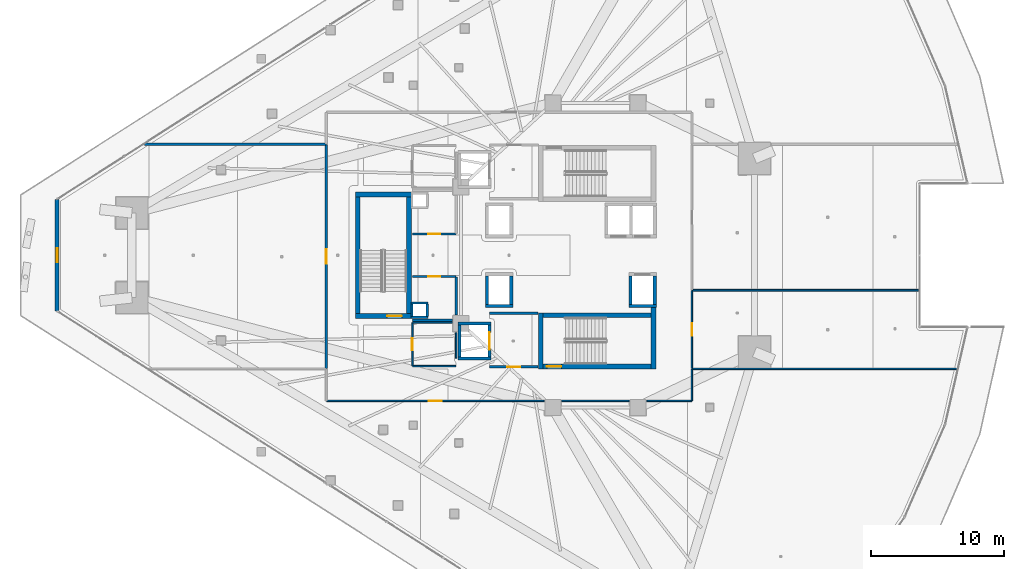
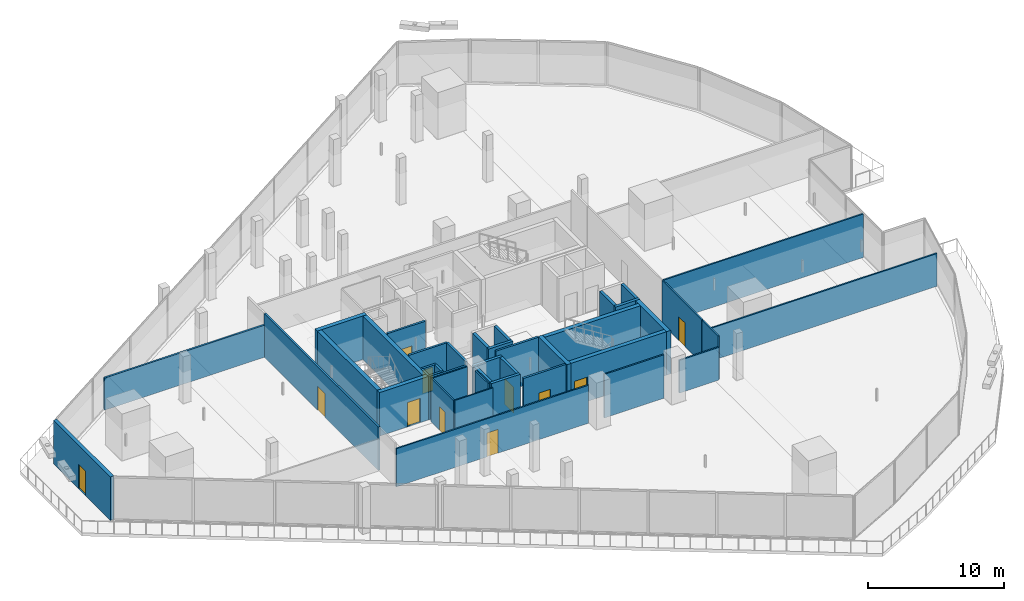
# One storey, part 29 of 42: 42 walls, 11 doors, 11 openings.
"""IFC4 building model written with IfcOpenShell, lengths in metres."""

from ifc_helpers import new_model, si_unit, direction, frame, frame_2d, origin, place, context, subcontext, project, spatial, rectangle, extrude, material, layer, layer_set, type_object, element, fill, save


model = new_model("IFC4")

# Units and contexts
model_context = context("Model", 3, precision=1e-05, world=origin(), true_north=direction((0.0, 1.0)))
body_context = subcontext(model_context, "Body", "Model", "MODEL_VIEW")
ifc_project = project(units=[si_unit("LENGTHUNIT", "METRE"), si_unit("AREAUNIT", "SQUARE_METRE"), si_unit("VOLUMEUNIT", "CUBIC_METRE"), si_unit("PLANEANGLEUNIT", "RADIAN"), si_unit("MASSUNIT", "GRAM", prefix="KILO")], contexts=[model_context])

# Site, building, storey
site_placement = place(None, origin())
site = spatial("IfcSite", under=ifc_project, at=site_placement, CompositionType="ELEMENT")
building_placement = place(site_placement, origin())
building = spatial("IfcBuilding", under=site, at=building_placement, Name="Qorvath Tower", CompositionType="ELEMENT")
storey_placement = place(building_placement, frame((0.0, 0.0, 32.39990234375)))
storey = spatial("IfcBuildingStorey", under=building, at=storey_placement, Name="L06", CompositionType="ELEMENT", Elevation=32.39990234375)

# Walls
ifc_material_1 = material(Name="Gypsum shaftliner on steel studs", Category="steel")
ifc_layer_1 = layer(ifc_material_1, 0.179931640625)
ifc_layer_set_1 = layer_set([ifc_layer_1], Name="FW-LOBBY")
wall_type_1 = type_object("IfcWallType", Name="FW-LOBBY", PredefinedType="PARTITIONING", material=ifc_layer_set_1)
for number, where, z_axis, x_axis, name in (
    (1, (-32.989990234375, -4.675048828125, 0.0), (0.0, 0.0, 1.0), (-1.0, 0.0, 0.0), "MEP Riser Shaft Enclosure Wall S-L06-S"),
    (2, (-34.260009765625, -3.594970703125, 0.0), (0.0, 0.0, 1.0), (1.0, 0.0, 0.0), "MEP Riser Shaft Enclosure Wall S-L06-N"),
):
    element("IfcWall", number, at=place(storey_placement, frame(where, z_axis=z_axis, x_axis=x_axis)), inside=storey, type_object=wall_type_1, Name=name, PredefinedType="PARTITIONING", context=body_context, shape_type="SweptSolid", body=[
        extrude(rectangle(XDim=1.27001953125, YDim=0.179931640625, at=frame_2d((0.635009765625, 0.0))), origin(), (0.0, 0.0, 1.0), 3.920166015625),
    ])
for number, where, z_axis, x_axis, name in (
    (3, (-34.205078125, -4.610107421875, 0.0), (0.0, 0.0, 1.0), (0.0, 1.0, 0.0), "MEP Riser Shaft Enclosure Wall S-L06-W"),
    (4, (-33.044921875, -3.659912109375, 0.0), (0.0, 0.0, 1.0), (0.0, -1.0, 0.0), "MEP Riser Shaft Enclosure Wall S-L06-E"),
):
    element("IfcWall", number, at=place(storey_placement, frame(where, z_axis=z_axis, x_axis=x_axis)), inside=storey, type_object=wall_type_1, Name=name, PredefinedType="PARTITIONING", context=body_context, shape_type="SweptSolid", body=[
        extrude(rectangle(XDim=0.9501953125, YDim=0.179931640625, at=frame_2d((0.47509765625, 0.0))), origin(), (0.0, 0.0, 1.0), 3.920166015625),
    ])

# Wall, opening, door
wall_1_placement = place(storey_placement, frame((-28.35498046875, -8.39990234375, 0.0), z_axis=(0.0, 0.0, 1.0), x_axis=(1.0, 0.0, 0.0)))
wall_1 = element("IfcWall", 5, at=wall_1_placement, inside=storey, type_object=wall_type_1, Name="Interior Partition IW-T1-L06-003", PredefinedType="PARTITIONING", context=body_context, shape_type="SweptSolid", body=[
    extrude(rectangle(XDim=3.6220703125, YDim=0.179931640625, at=frame_2d((1.81103515625, 0.0))), origin(), (0.0, 0.0, 1.0), 3.920166015625),
])
opening_1_placement = place(wall_1_placement, frame((1.31103515625, 0.0, 0.0)))
opening_1 = element("IfcOpeningElement", 6, at=opening_1_placement, cuts=wall_1, Name="Opening D-T1-L06-11", PredefinedType="OPENING", context=body_context, shape_type="SweptSolid", body=[
    extrude(rectangle(XDim=1.0, YDim=2.14990234375, at=frame_2d((0.5, 1.074951171875))), frame((0.0, 0.10009765625, 0.0), z_axis=(0.0, -1.0, 0.0), x_axis=(1.0, 0.0, 0.0)), (0.0, 0.0, 1.0), 0.199951171875),
])
ifc_material_2 = material(Name="Painted galvanised hollow metal", Category="steel")
door_type_1 = type_object("IfcDoorType", Name="FD-60", OperationType="NOTDEFINED", PredefinedType="DOOR", material=ifc_material_2)
door_1_placement = place(opening_1_placement, origin())
door_1 = element("IfcDoor", 7, at=door_1_placement, inside=storey, type_object=door_type_1, Name="Lobby Fire Service Elevator South Door D-T1-L06-11", OperationType="SINGLE_SWING_LEFT", OverallHeight=2.14990234375, OverallWidth=1.0, PredefinedType="DOOR", context=body_context, shape_type="SweptSolid", body=[
    extrude(rectangle(XDim=1.0, YDim=2.14990234375, at=frame_2d((0.5, 1.074951171875))), frame((0.0, 0.02490234375, 0.0), z_axis=(0.0, -1.0, 0.0), x_axis=(1.0, 0.0, 0.0)), (0.0, 0.0, 1.0), 0.050048828125),
])
fill(opening_1, door_1)

# Wall
wall_2_placement = place(storey_placement, frame((-24.73291015625, -4.35009765625, 0.0), z_axis=(0.0, 0.0, 1.0), x_axis=(-1.0, 0.0, 0.0)))
element("IfcWall", 8, at=wall_2_placement, inside=storey, type_object=wall_type_1, Name="Interior Partition IW-T1-L06-004", PredefinedType="PARTITIONING", context=body_context, shape_type="SweptSolid", body=[
    extrude(rectangle(XDim=3.6220703125, YDim=0.179931640625, at=frame_2d((1.81103515625, 0.0))), origin(), (0.0, 0.0, 1.0), 3.920166015625),
])

# Wall, opening, door
wall_3_placement = place(storey_placement, frame((-34.15478515625, 1.60009765625, 0.0), z_axis=(0.0, 0.0, 1.0), x_axis=(1.0, 0.0, 0.0)))
wall_3 = element("IfcWall", 9, at=wall_3_placement, inside=storey, type_object=wall_type_1, Name="Interior Partition IW-T1-L06-013", PredefinedType="PARTITIONING", context=body_context, shape_type="SweptSolid", body=[
    extrude(rectangle(XDim=3.25, YDim=0.179931640625, at=frame_2d((1.625, 0.0))), origin(), (0.0, 0.0, 1.0), 3.920166015625),
])
opening_2_placement = place(wall_3_placement, frame((1.18505859375, 0.0, 0.0)))
opening_2 = element("IfcOpeningElement", 10, at=opening_2_placement, cuts=wall_3, Name="Opening D-T1-L06-03", PredefinedType="OPENING", context=body_context, shape_type="SweptSolid", body=[
    extrude(rectangle(XDim=0.8798828125, YDim=2.10009765625, at=frame_2d((0.43994140625, 1.050048828125))), frame((0.0, 0.10009765625, 0.0), z_axis=(0.0, -1.0, 0.0), x_axis=(1.0, 0.0, 0.0)), (0.0, 0.0, 1.0), 0.199951171875),
])
ifc_material_3 = material(Name="Painted galvanised hollow metal", Category="steel")
door_type_2 = type_object("IfcDoorType", Name="FD-60N", OperationType="NOTDEFINED", PredefinedType="DOOR", material=ifc_material_3)
door_2_placement = place(opening_2_placement, origin())
door_2 = element("IfcDoor", 11, at=door_2_placement, inside=storey, type_object=door_type_2, Name="Core cleaner and custodial room L06 Door D-T1-L06-03", OperationType="SINGLE_SWING_LEFT", OverallHeight=2.10009765625, OverallWidth=0.8798828125, PredefinedType="DOOR", context=body_context, shape_type="SweptSolid", body=[
    extrude(rectangle(XDim=0.8798828125, YDim=2.10009765625, at=frame_2d((0.43994140625, 1.050048828125))), frame((0.0, 0.02490234375, 0.0), z_axis=(0.0, -1.0, 0.0), x_axis=(1.0, 0.0, 0.0)), (0.0, 0.0, 1.0), 0.050048828125),
])
fill(opening_2, door_2)

# Walls
wall_4_placement = place(storey_placement, frame((-34.15478515625, -4.89990234375, 0.0), z_axis=(0.0, 0.0, 1.0), x_axis=(1.0, 0.0, 0.0)))
element("IfcWall", 12, at=wall_4_placement, inside=storey, type_object=wall_type_1, Name="Interior Partition IW-T1-L06-016", PredefinedType="PARTITIONING", context=body_context, shape_type="SweptSolid", body=[
    extrude(rectangle(XDim=2.98974609375, YDim=0.179931640625, at=frame_2d((1.494873046875, 0.0))), origin(), (0.0, 0.0, 1.0), 3.920166015625),
])
wall_5_placement = place(storey_placement, frame((-30.8798828125, -4.485107421875, 0.0), z_axis=(0.0, 0.0, 1.0), x_axis=(0.0, 1.0, 0.0)))
element("IfcWall", 13, at=wall_5_placement, inside=storey, type_object=wall_type_1, Name="Interior Partition IW-T1-L06-017", PredefinedType="PARTITIONING", context=body_context, shape_type="SweptSolid", body=[
    extrude(rectangle(XDim=2.860107421875, YDim=0.179931640625, at=frame_2d((1.43017578125, 0.0))), origin(), (0.0, 0.0, 1.0), 3.920166015625),
])

# Wall, opening, door
wall_6_placement = place(storey_placement, frame((-30.90478515625, -1.60009765625, 0.0), z_axis=(0.0, 0.0, 1.0), x_axis=(-1.0, 0.0, 0.0)))
wall_6 = element("IfcWall", 14, at=wall_6_placement, inside=storey, type_object=wall_type_1, Name="Interior Partition IW-T1-L06-018", PredefinedType="PARTITIONING", context=body_context, shape_type="SweptSolid", body=[
    extrude(rectangle(XDim=3.25, YDim=0.179931640625, at=frame_2d((1.625, 0.0))), origin(), (0.0, 0.0, 1.0), 3.920166015625),
])
opening_3_placement = place(wall_6_placement, frame((1.18505859375, 0.0, 0.0)))
opening_3 = element("IfcOpeningElement", 15, at=opening_3_placement, cuts=wall_6, Name="Opening D-T1-L06-04", PredefinedType="OPENING", context=body_context, shape_type="SweptSolid", body=[
    extrude(rectangle(XDim=0.8798828125, YDim=2.10009765625, at=frame_2d((0.43994140625, 1.050048828125))), frame((0.0, 0.10009765625, 0.0), z_axis=(0.0, -1.0, 0.0), x_axis=(1.0, 0.0, 0.0)), (0.0, 0.0, 1.0), 0.199951171875),
])
door_3_placement = place(opening_3_placement, origin())
door_3 = element("IfcDoor", 16, at=door_3_placement, inside=storey, type_object=door_type_2, Name="Core electrical room L06 Door D-T1-L06-04", OperationType="SINGLE_SWING_RIGHT", OverallHeight=2.10009765625, OverallWidth=0.8798828125, PredefinedType="DOOR", context=body_context, shape_type="SweptSolid", body=[
    extrude(rectangle(XDim=0.8798828125, YDim=2.10009765625, at=frame_2d((0.43994140625, 1.050048828125))), frame((0.0, 0.02490234375, 0.0), z_axis=(0.0, -1.0, 0.0), x_axis=(1.0, 0.0, 0.0)), (0.0, 0.0, 1.0), 0.050048828125),
])
fill(opening_3, door_3)

# Wall
ifc_material_4 = material(Name="Double acoustic gypsum board on steel studs", Category="steel")
ifc_layer_2 = layer(ifc_material_4, 0.159912109375)
ifc_layer_set_2 = layer_set([ifc_layer_2], Name="IW-ACOUSTIC-160")
wall_type_2 = type_object("IfcWallType", Name="IW-ACOUSTIC-160", PredefinedType="PARTITIONING", material=ifc_layer_set_2)
wall_7_placement = place(storey_placement, frame((-54.348388671875, 8.35009765625, 0.0), z_axis=(0.0, 0.0, 1.0), x_axis=(1.0, 0.0, 0.0)))
element("IfcWall", 17, at=wall_7_placement, inside=storey, type_object=wall_type_2, Name="Interior Partition IW-T1-L06-019", PredefinedType="PARTITIONING", context=body_context, shape_type="SweptSolid", body=[
    extrude(rectangle(XDim=13.665283203125, YDim=0.159912109375, at=frame_2d((6.83251953125, 0.0))), origin(), (0.0, 0.0, 1.0), 2.89013671875),
])

# Wall, opening, door
wall_8_placement = place(storey_placement, frame((-40.657958984375, -8.51708984375, 0.0), z_axis=(0.0, 0.0, 1.0), x_axis=(0.0, 1.0, 0.0)))
wall_8 = element("IfcWall", 18, at=wall_8_placement, inside=storey, type_object=wall_type_2, Name="Interior Partition IW-T1-L06-035", PredefinedType="PARTITIONING", context=body_context, shape_type="SweptSolid", body=[
    extrude(rectangle(XDim=16.833984375, YDim=0.159912109375, at=frame_2d((8.4169921875, 0.0))), origin(), (0.0, 0.0, 1.0), 3.920166015625),
])
opening_4_placement = place(wall_8_placement, frame((7.866943359375, 0.0, 0.0)))
opening_4 = element("IfcOpeningElement", 19, at=opening_4_placement, cuts=wall_8, Name="Opening D-T1-L06-09", PredefinedType="OPENING", context=body_context, shape_type="SweptSolid", body=[
    extrude(rectangle(XDim=1.10009765625, YDim=2.14990234375, at=frame_2d((0.550048828125, 1.074951171875))), frame((0.0, 0.08984375, 0.0), z_axis=(0.0, -1.0, 0.0), x_axis=(1.0, 0.0, 0.0)), (0.0, 0.0, 1.0), 0.179931640625),
])
ifc_material_5 = material(Name="Anodised aluminium acoustic framed glass", Category="aluminium")
door_type_3 = type_object("IfcDoorType", Name="D-03", OperationType="NOTDEFINED", PredefinedType="DOOR", material=ifc_material_5)
door_4_placement = place(opening_4_placement, origin())
door_4 = element("IfcDoor", 20, at=door_4_placement, inside=storey, type_object=door_type_3, Name="L06-05 Client Services Office Door D-T1-L06-09", OperationType="SINGLE_SWING_LEFT", OverallHeight=2.14990234375, OverallWidth=1.10009765625, PredefinedType="DOOR", context=body_context, shape_type="SweptSolid", body=[
    extrude(rectangle(XDim=1.10009765625, YDim=2.14990234375, at=frame_2d((0.550048828125, 1.074951171875))), frame((0.0, 0.02490234375, 0.0), z_axis=(0.0, -1.0, 0.0), x_axis=(1.0, 0.0, 0.0)), (0.0, 0.0, 1.0), 0.050048828125),
])
fill(opening_4, door_4)

# Walls
ifc_material_6 = material(Name="Gypsum board on metal studs with mineral wool", Category="gypsum")
ifc_layer_3 = layer(ifc_material_6, 0.125)
ifc_layer_set_3 = layer_set([ifc_layer_3], Name="IW-PART-125")
wall_type_3 = type_object("IfcWallType", Name="IW-PART-125", PredefinedType="PARTITIONING", material=ifc_layer_set_3)
wall_9_placement = place(storey_placement, frame((6.799072265625, -8.550048828125, 0.0), z_axis=(0.0, 0.0, 1.0), x_axis=(-1.0, 0.0, 0.0)))
element("IfcWall", 21, at=wall_9_placement, inside=storey, type_object=wall_type_3, Name="Interior Partition IW-T1-L06-025", PredefinedType="PARTITIONING", context=body_context, shape_type="SweptSolid", body=[
    extrude(rectangle(XDim=19.916259765625, YDim=0.125, at=frame_2d((9.9580078125, 0.0))), origin(), (0.0, 0.0, 1.0), 2.95703125),
])
wall_10_placement = place(storey_placement, frame((-13.14208984375, -10.93310546875, 0.0), z_axis=(0.0, 0.0, 1.0), x_axis=(0.0, 1.0, 0.0)))
element("IfcWall", 22, at=wall_10_placement, inside=storey, type_object=wall_type_3, Name="Interior Partition IW-T1-L06-026", PredefinedType="PARTITIONING", context=body_context, shape_type="SweptSolid", body=[
    extrude(rectangle(XDim=2.358154296875, YDim=0.125, at=frame_2d((1.17919921875, 0.0))), origin(), (0.0, 0.0, 1.0), 3.920166015625),
])
wall_11_placement = place(storey_placement, frame((-13.1669921875, -10.9580078125, 0.0), z_axis=(0.0, 0.0, 1.0), x_axis=(-1.0, 0.0, 0.0)))
element("IfcWall", 23, at=wall_11_placement, inside=storey, type_object=wall_type_3, Name="Interior Partition IW-T1-L06-027", PredefinedType="PARTITIONING", context=body_context, shape_type="SweptSolid", body=[
    extrude(rectangle(XDim=3.367919921875, YDim=0.125, at=frame_2d((1.68408203125, 0.0))), origin(), (0.0, 0.0, 1.0), 2.95703125),
])
wall_12_placement = place(storey_placement, frame((-17.864990234375, -10.9580078125, 0.0), z_axis=(0.0, 0.0, 1.0), x_axis=(-1.0, 0.0, 0.0)))
element("IfcWall", 24, at=wall_12_placement, inside=storey, type_object=wall_type_3, Name="Interior Partition IW-T1-L06-028", PredefinedType="PARTITIONING", context=body_context, shape_type="SweptSolid", body=[
    extrude(rectangle(XDim=5.070068359375, YDim=0.125, at=frame_2d((2.53515625, 0.0))), origin(), (0.0, 0.0, 1.0), 3.920166015625),
])

# Wall, opening, door
wall_13_placement = place(storey_placement, frame((-24.264892578125, -10.9580078125, 0.0), z_axis=(0.0, 0.0, 1.0), x_axis=(-1.0, 0.0, 0.0)))
wall_13 = element("IfcWall", 25, at=wall_13_placement, inside=storey, type_object=wall_type_3, Name="Interior Partition IW-T1-L06-029", PredefinedType="PARTITIONING", context=body_context, shape_type="SweptSolid", body=[
    extrude(rectangle(XDim=16.3681640625, YDim=0.125, at=frame_2d((8.18408203125, 0.0))), origin(), (0.0, 0.0, 1.0), 3.43310546875),
])
opening_5_placement = place(wall_13_placement, frame((7.708984375, 0.0, 0.0)))
opening_5 = element("IfcOpeningElement", 26, at=opening_5_placement, cuts=wall_13, Name="Opening D-T1-L06-06", PredefinedType="OPENING", context=body_context, shape_type="SweptSolid", body=[
    extrude(rectangle(XDim=0.949951171875, YDim=2.14990234375, at=frame_2d((0.47509765625, 1.074951171875))), frame((0.0, 0.072509765625, 0.0), z_axis=(0.0, -1.0, 0.0), x_axis=(1.0, 0.0, 0.0)), (0.0, 0.0, 1.0), 0.14501953125),
])
ifc_material_7 = material(Name="Solid-core American white oak veneer", Category="wood")
door_type_4 = type_object("IfcDoorType", Name="D-01", OperationType="NOTDEFINED", PredefinedType="DOOR", material=ifc_material_7)
door_5_placement = place(opening_5_placement, origin())
door_5 = element("IfcDoor", 27, at=door_5_placement, inside=storey, type_object=door_type_4, Name="L06-02 Focus Collaboration Pod Door D-T1-L06-06", OperationType="SINGLE_SWING_RIGHT", OverallHeight=2.14990234375, OverallWidth=0.949951171875, PredefinedType="DOOR", context=body_context, shape_type="SweptSolid", body=[
    extrude(rectangle(XDim=0.949951171875, YDim=2.14990234375, at=frame_2d((0.47509765625, 1.074951171875))), frame((0.0, 0.02490234375, 0.0), z_axis=(0.0, -1.0, 0.0), x_axis=(1.0, 0.0, 0.0)), (0.0, 0.0, 1.0), 0.050048828125),
])
fill(opening_5, door_5)

# Wall
wall_14_placement = place(storey_placement, frame((-13.1171875, -2.635009765625, 0.0), z_axis=(0.0, 0.0, 1.0), x_axis=(1.0, 0.0, 0.0)))
element("IfcWall", 28, at=wall_14_placement, inside=storey, type_object=wall_type_3, Name="Interior Partition IW-T1-L06-033", PredefinedType="PARTITIONING", context=body_context, shape_type="SweptSolid", body=[
    extrude(rectangle(XDim=17.0419921875, YDim=0.125, at=frame_2d((8.52099609375, 0.0))), origin(), (0.0, 0.0, 1.0), 3.920166015625),
])

# Wall, opening, door
wall_15_placement = place(storey_placement, frame((-13.14208984375, -2.668212890625, 0.0), z_axis=(0.0, 0.0, 1.0), x_axis=(0.0, -1.0, 0.0)))
wall_15 = element("IfcWall", 29, at=wall_15_placement, inside=storey, type_object=wall_type_3, Name="Interior Partition IW-T1-L06-034", PredefinedType="PARTITIONING", context=body_context, shape_type="SweptSolid", body=[
    extrude(rectangle(XDim=5.848876953125, YDim=0.125, at=frame_2d((2.92431640625, 0.0))), origin(), (0.0, 0.0, 1.0), 3.920166015625),
])
opening_6_placement = place(wall_15_placement, frame((2.449462890625, 0.0, 0.0)))
opening_6 = element("IfcOpeningElement", 30, at=opening_6_placement, cuts=wall_15, Name="Opening D-T1-L06-08", PredefinedType="OPENING", context=body_context, shape_type="SweptSolid", body=[
    extrude(rectangle(XDim=0.949951171875, YDim=2.14990234375, at=frame_2d((0.47509765625, 1.074951171875))), frame((0.0, 0.072509765625, 0.0), z_axis=(0.0, -1.0, 0.0), x_axis=(1.0, 0.0, 0.0)), (0.0, 0.0, 1.0), 0.14501953125),
])
door_6_placement = place(opening_6_placement, origin())
door_6 = element("IfcDoor", 31, at=door_6_placement, inside=storey, type_object=door_type_4, Name="L06-04 Staff Refreshment Pantry Door D-T1-L06-08", OperationType="SINGLE_SWING_RIGHT", OverallHeight=2.14990234375, OverallWidth=0.949951171875, PredefinedType="DOOR", context=body_context, shape_type="SweptSolid", body=[
    extrude(rectangle(XDim=0.949951171875, YDim=2.14990234375, at=frame_2d((0.47509765625, 1.074951171875))), frame((0.0, 0.02490234375, 0.0), z_axis=(0.0, -1.0, 0.0), x_axis=(1.0, 0.0, 0.0)), (0.0, 0.0, 1.0), 0.050048828125),
])
fill(opening_6, door_6)

# Walls
ifc_material_8 = material(Name="Moisture-resistant cement board on metal studs", Category="gypsum")
ifc_layer_4 = layer(ifc_material_8, 0.110107421875)
ifc_layer_set_4 = layer_set([ifc_layer_4], Name="IW-WC-110")
wall_type_4 = type_object("IfcWallType", Name="IW-WC-110", PredefinedType="PARTITIONING", material=ifc_layer_set_4)
wall_16_placement = place(storey_placement, frame((-34.15478515625, -8.35009765625, 0.0), z_axis=(0.0, 0.0, 1.0), x_axis=(1.0, 0.0, 0.0)))
element("IfcWall", 32, at=wall_16_placement, inside=storey, type_object=wall_type_4, Name="Interior Partition IW-T1-L06-009", PredefinedType="PARTITIONING", context=body_context, shape_type="SweptSolid", body=[
    extrude(rectangle(XDim=3.25, YDim=0.110107421875, at=frame_2d((1.625, 0.0))), origin(), (0.0, 0.0, 1.0), 3.920166015625),
])
wall_17_placement = place(storey_placement, frame((-30.8798828125, -7.742919921875, 0.0), z_axis=(0.0, 0.0, 1.0), x_axis=(0.0, 1.0, 0.0)))
element("IfcWall", 33, at=wall_17_placement, inside=storey, type_object=wall_type_4, Name="Interior Partition IW-T1-L06-010", PredefinedType="PARTITIONING", context=body_context, shape_type="SweptSolid", body=[
    extrude(rectangle(XDim=1.927978515625, YDim=0.110107421875, at=frame_2d((0.9638671875, 0.0))), origin(), (0.0, 0.0, 1.0), 3.920166015625),
])
wall_18_placement = place(storey_placement, frame((-31.1650390625, -5.050048828125, 0.0), z_axis=(0.0, 0.0, 1.0), x_axis=(-1.0, 0.0, 0.0)))
element("IfcWall", 34, at=wall_18_placement, inside=storey, type_object=wall_type_4, Name="Interior Partition IW-T1-L06-011", PredefinedType="PARTITIONING", context=body_context, shape_type="SweptSolid", body=[
    extrude(rectangle(XDim=2.98974609375, YDim=0.110107421875, at=frame_2d((1.494873046875, 0.0))), origin(), (0.0, 0.0, 1.0), 3.920166015625),
])

# Wall, opening, door
wall_19_placement = place(storey_placement, frame((-34.179931640625, -5.074951171875, 0.0), z_axis=(0.0, 0.0, 1.0), x_axis=(0.0, -1.0, 0.0)))
wall_19 = element("IfcWall", 35, at=wall_19_placement, inside=storey, type_object=wall_type_4, Name="Interior Partition IW-T1-L06-012", PredefinedType="PARTITIONING", context=body_context, shape_type="SweptSolid", body=[
    extrude(rectangle(XDim=3.250244140625, YDim=0.110107421875, at=frame_2d((1.625, 0.0))), origin(), (0.0, 0.0, 1.0), 3.920166015625),
])
opening_7_placement = place(wall_19_placement, frame((1.18505859375, 0.0, 0.0)))
opening_7 = element("IfcOpeningElement", 36, at=opening_7_placement, cuts=wall_19, Name="Opening D-T1-L06-02", PredefinedType="OPENING", context=body_context, shape_type="SweptSolid", body=[
    extrude(rectangle(XDim=0.8798828125, YDim=2.10009765625, at=frame_2d((0.43994140625, 1.050048828125))), frame((0.0, 0.06494140625, 0.0), z_axis=(0.0, -1.0, 0.0), x_axis=(1.0, 0.0, 0.0)), (0.0, 0.0, 1.0), 0.130126953125),
])
ifc_material_9 = material(Name="Solid-core oak with acoustic drop seal", Category="wood")
door_type_5 = type_object("IfcDoorType", Name="D-02", OperationType="NOTDEFINED", PredefinedType="DOOR", material=ifc_material_9)
door_7_placement = place(opening_7_placement, origin())
door_7 = element("IfcDoor", 37, at=door_7_placement, inside=storey, type_object=door_type_5, Name="Accessible WC South L06 Door D-T1-L06-02", OperationType="SINGLE_SWING_RIGHT", OverallHeight=2.10009765625, OverallWidth=0.8798828125, PredefinedType="DOOR", context=body_context, shape_type="SweptSolid", body=[
    extrude(rectangle(XDim=0.8798828125, YDim=2.10009765625, at=frame_2d((0.43994140625, 1.050048828125))), frame((0.0, 0.02490234375, 0.0), z_axis=(0.0, -1.0, 0.0), x_axis=(1.0, 0.0, 0.0)), (0.0, 0.0, 1.0), 0.050048828125),
])
fill(opening_7, door_7)

# Walls
ifc_material_10 = material(Name="Concrete C60/75", Category="concrete")
ifc_layer_5 = layer(ifc_material_10, 0.260009765625)
ifc_layer_set_5 = layer_set([ifc_layer_5], Name="SW-SHAFT")
wall_type_5 = type_object("IfcWallType", Name="SW-SHAFT", PredefinedType="SHEAR", material=ifc_layer_set_5)
for number, where, z_axis, x_axis, name in (
    (38, (-28.260009765625, -7.77001953125, 0.0), (0.0, 0.0, 1.0), (-1.0, 0.0, 0.0), "Hoistway Wall FSAE-2 L06 S"),
    (39, (-30.739990234375, -5.1298828125, 0.0), (0.0, 0.0, 1.0), (1.0, 0.0, 0.0), "Hoistway Wall FSAE-2 L06 N"),
):
    element("IfcWall", number, at=place(storey_placement, frame(where, z_axis=z_axis, x_axis=x_axis)), inside=storey, type_object=wall_type_5, Name=name, PredefinedType="SHEAR", context=body_context, shape_type="SweptSolid", body=[
        extrude(rectangle(XDim=2.47998046875, YDim=0.239990234375, at=frame_2d((1.239990234375, 0.0))), origin(), (0.0, 0.0, 1.0), 3.920166015625),
    ])
wall_20_placement = place(storey_placement, frame((-30.6201171875, -7.637939453125, 0.0), z_axis=(0.0, 0.0, 1.0), x_axis=(0.0, 1.0, 0.0)))
element("IfcWall", 40, at=wall_20_placement, inside=storey, type_object=wall_type_5, Name="Hoistway Wall FSAE-2 L06 W", PredefinedType="SHEAR", context=body_context, shape_type="SweptSolid", body=[
    extrude(rectangle(XDim=2.3759765625, YDim=0.239990234375, at=frame_2d((1.18798828125, 0.0))), origin(), (0.0, 0.0, 1.0), 3.920166015625),
])

# Wall, opening, door
wall_21_placement = place(storey_placement, frame((-28.3798828125, -5.261962890625, 0.0), z_axis=(0.0, 0.0, 1.0), x_axis=(0.0, -1.0, 0.0)))
wall_21 = element("IfcWall", 41, at=wall_21_placement, inside=storey, type_object=wall_type_5, Name="Hoistway Wall FSAE-2 L06 E", PredefinedType="SHEAR", context=body_context, shape_type="SweptSolid", body=[
    extrude(rectangle(XDim=2.3759765625, YDim=0.239990234375, at=frame_2d((1.18798828125, 0.0))), origin(), (0.0, 0.0, 1.0), 3.920166015625),
])
opening_8_placement = place(wall_21_placement, frame((0.5380859375, 0.0, 0.0)))
opening_8 = element("IfcOpeningElement", 42, at=opening_8_placement, cuts=wall_21, Name="Opening LD-FSAE-2-L06", PredefinedType="OPENING", context=body_context, shape_type="SweptSolid", body=[
    extrude(rectangle(XDim=1.300048828125, YDim=2.300048828125, at=frame_2d((0.64990234375, 1.14990234375))), frame((0.0, 0.1298828125, 0.0), z_axis=(0.0, -1.0, 0.0), x_axis=(1.0, 0.0, 0.0)), (0.0, 0.0, 1.0), 0.260009765625),
])
ifc_material_11 = material(Name="Brushed stainless steel AISI 316", Category="steel")
door_type_6 = type_object("IfcDoorType", Name="LD-02", OperationType="NOTDEFINED", PredefinedType="DOOR", material=ifc_material_11)
door_8_placement = place(opening_8_placement, origin())
door_8 = element("IfcDoor", 43, at=door_8_placement, inside=storey, type_object=door_type_6, Name="Elevator Landing Sliding Door LD-FSAE-2-L06", OperationType="DOUBLE_DOOR_SLIDING", OverallHeight=2.300048828125, OverallWidth=1.300048828125, PredefinedType="DOOR", context=body_context, shape_type="SweptSolid", body=[
    extrude(rectangle(XDim=1.300048828125, YDim=2.300048828125, at=frame_2d((0.64990234375, 1.14990234375))), frame((0.0, 0.02490234375, 0.0), z_axis=(0.0, -1.0, 0.0), x_axis=(1.0, 0.0, 0.0)), (0.0, 0.0, 1.0), 0.050048828125),
])
fill(opening_8, door_8)

# Walls
wall_22_placement = place(storey_placement, frame((-26.610107421875, -3.820068359375, 0.0), z_axis=(0.0, 0.0, 1.0), x_axis=(-1.0, 0.0, 0.0)))
element("IfcWall", 44, at=wall_22_placement, inside=storey, type_object=wall_type_5, Name="Hoistway Wall PS-2 L06 S", PredefinedType="SHEAR", context=body_context, shape_type="SweptSolid", body=[
    extrude(rectangle(XDim=2.079833984375, YDim=0.239990234375, at=frame_2d((1.0400390625, 0.0))), origin(), (0.0, 0.0, 1.0), 3.920166015625),
])
for number, where, z_axis, x_axis, name in (
    (45, (-28.570068359375, -3.68798828125, 0.0), (0.0, 0.0, 1.0), (0.0, 1.0, 0.0), "Hoistway Wall PS-2 L06 W"),
    (46, (-26.72998046875, -1.56201171875, 0.0), (0.0, 0.0, 1.0), (0.0, -1.0, 0.0), "Hoistway Wall PS-2 L06 E"),
):
    element("IfcWall", number, at=place(storey_placement, frame(where, z_axis=z_axis, x_axis=x_axis)), inside=storey, type_object=wall_type_5, Name=name, PredefinedType="SHEAR", context=body_context, shape_type="SweptSolid", body=[
        extrude(rectangle(XDim=2.1259765625, YDim=0.239990234375, at=frame_2d((1.06298828125, 0.0))), origin(), (0.0, 0.0, 1.0), 3.920166015625),
    ])
wall_23_placement = place(storey_placement, frame((-15.81005859375, -3.820068359375, 0.0), z_axis=(0.0, 0.0, 1.0), x_axis=(-1.0, 0.0, 0.0)))
element("IfcWall", 47, at=wall_23_placement, inside=storey, type_object=wall_type_5, Name="Hoistway Wall PL-2 L06 S", PredefinedType="SHEAR", context=body_context, shape_type="SweptSolid", body=[
    extrude(rectangle(XDim=2.079833984375, YDim=0.239990234375, at=frame_2d((1.0400390625, 0.0))), origin(), (0.0, 0.0, 1.0), 3.920166015625),
])
for number, where, z_axis, x_axis, name in (
    (48, (-17.77001953125, -3.68798828125, 0.0), (0.0, 0.0, 1.0), (0.0, 1.0, 0.0), "Hoistway Wall PL-2 L06 W"),
    (49, (-15.929931640625, -1.56201171875, 0.0), (0.0, 0.0, 1.0), (0.0, -1.0, 0.0), "Hoistway Wall PL-2 L06 E"),
):
    element("IfcWall", number, at=place(storey_placement, frame(where, z_axis=z_axis, x_axis=x_axis)), inside=storey, type_object=wall_type_5, Name=name, PredefinedType="SHEAR", context=body_context, shape_type="SweptSolid", body=[
        extrude(rectangle(XDim=2.1259765625, YDim=0.239990234375, at=frame_2d((1.06298828125, 0.0))), origin(), (0.0, 0.0, 1.0), 3.920166015625),
    ])
ifc_material_12 = material(Name="Concrete C60/75", Category="concrete")
ifc_layer_6 = layer(ifc_material_12, 0.35009765625)
ifc_layer_set_6 = layer_set([ifc_layer_6], Name="SW-STAIR")
wall_type_6 = type_object("IfcWallType", Name="SW-STAIR", PredefinedType="SHEAR", material=ifc_layer_set_6)
wall_24_placement = place(storey_placement, frame((-24.52490234375, -4.340087890625, 0.0), z_axis=(0.0, 0.0, 1.0), x_axis=(0.0, -1.0, 0.0)))
element("IfcWall", 50, at=wall_24_placement, inside=storey, type_object=wall_type_6, Name="Stair TS2 Shear Wall L06 NEAR", PredefinedType="SHEAR", context=body_context, shape_type="SweptSolid", body=[
    extrude(rectangle(XDim=4.2099609375, YDim=0.35009765625, at=frame_2d((2.10498046875, 0.0))), origin(), (0.0, 0.0, 1.0), 3.920166015625),
])
wall_25_placement = place(storey_placement, frame((-16.02490234375, -8.550048828125, 0.0), z_axis=(0.0, 0.0, 1.0), x_axis=(0.0, 1.0, 0.0)))
element("IfcWall", 51, at=wall_25_placement, inside=storey, type_object=wall_type_6, Name="Stair TS2 Shear Wall L06 FAR", PredefinedType="SHEAR", context=body_context, shape_type="SweptSolid", body=[
    extrude(rectangle(XDim=4.610107421875, YDim=0.35009765625, at=frame_2d((2.30517578125, 0.0))), origin(), (0.0, 0.0, 1.0), 3.920166015625),
])

# Wall, opening, door
wall_26_placement = place(storey_placement, frame((-24.3349609375, -8.375, 0.0), z_axis=(0.0, 0.0, 1.0), x_axis=(1.0, 0.0, 0.0)))
wall_26 = element("IfcWall", 52, at=wall_26_placement, inside=storey, type_object=wall_type_6, Name="Stair TS2 Shear Wall L06 LEFT", PredefinedType="SHEAR", context=body_context, shape_type="SweptSolid", body=[
    extrude(rectangle(XDim=8.119873046875, YDim=0.35009765625, at=frame_2d((4.06005859375, 0.0))), origin(), (0.0, 0.0, 1.0), 3.920166015625),
])
opening_9_placement = place(wall_26_placement, frame((0.280029296875, 0.0, 0.0)))
opening_9 = element("IfcOpeningElement", 53, at=opening_9_placement, cuts=wall_26, Name="Opening D-TS2-L06", PredefinedType="OPENING", context=body_context, shape_type="SweptSolid", body=[
    extrude(rectangle(XDim=1.10009765625, YDim=2.199951171875, at=frame_2d((0.550048828125, 1.10009765625))), frame((0.0, 0.18505859375, 0.0), z_axis=(0.0, -1.0, 0.0), x_axis=(1.0, 0.0, 0.0)), (0.0, 0.0, 1.0), 0.3701171875),
])
ifc_material_13 = material(Name="Painted galvanised hollow metal", Category="steel")
door_type_7 = type_object("IfcDoorType", Name="FD-90", OperationType="NOTDEFINED", PredefinedType="DOOR", material=ifc_material_13)
door_9_placement = place(opening_9_placement, origin())
door_9 = element("IfcDoor", 54, at=door_9_placement, inside=storey, type_object=door_type_7, Name="Stair TS2 Fire Door L06", OperationType="SINGLE_SWING_LEFT", OverallHeight=2.199951171875, OverallWidth=1.10009765625, PredefinedType="DOOR", context=body_context, shape_type="SweptSolid", body=[
    extrude(rectangle(XDim=1.10009765625, YDim=2.199951171875, at=frame_2d((0.550048828125, 1.10009765625))), frame((0.0, 0.02490234375, 0.0), z_axis=(0.0, -1.0, 0.0), x_axis=(1.0, 0.0, 0.0)), (0.0, 0.0, 1.0), 0.050048828125),
])
fill(opening_9, door_9)

# Wall
wall_27_placement = place(storey_placement, frame((-16.215087890625, -4.514892578125, 0.0), z_axis=(0.0, 0.0, 1.0), x_axis=(-1.0, 0.0, 0.0)))
element("IfcWall", 55, at=wall_27_placement, inside=storey, type_object=wall_type_6, Name="Stair TS2 Shear Wall L06 RIGHT", PredefinedType="SHEAR", context=body_context, shape_type="SweptSolid", body=[
    extrude(rectangle(XDim=8.119873046875, YDim=0.35009765625, at=frame_2d((4.06005859375, 0.0))), origin(), (0.0, 0.0, 1.0), 3.920166015625),
])

# Wall, opening, door
wall_28_placement = place(storey_placement, frame((-38.4599609375, -4.574951171875, 0.0), z_axis=(0.0, 0.0, 1.0), x_axis=(1.0, 0.0, 0.0)))
wall_28 = element("IfcWall", 56, at=wall_28_placement, inside=storey, type_object=wall_type_6, Name="Stair TS3 Shear Wall L06 NEAR", PredefinedType="SHEAR", context=body_context, shape_type="SweptSolid", body=[
    extrude(rectangle(XDim=4.2099609375, YDim=0.35009765625, at=frame_2d((2.10498046875, 0.0))), origin(), (0.0, 0.0, 1.0), 3.920166015625),
])
opening_10_placement = place(wall_28_placement, frame((2.389892578125, 0.0, 0.0)))
opening_10 = element("IfcOpeningElement", 57, at=opening_10_placement, cuts=wall_28, Name="Opening D-TS3-L06", PredefinedType="OPENING", context=body_context, shape_type="SweptSolid", body=[
    extrude(rectangle(XDim=1.10009765625, YDim=2.199951171875, at=frame_2d((0.550048828125, 1.10009765625))), frame((0.0, 0.18505859375, 0.0), z_axis=(0.0, -1.0, 0.0), x_axis=(1.0, 0.0, 0.0)), (0.0, 0.0, 1.0), 0.3701171875),
])
door_10_placement = place(opening_10_placement, origin())
door_10 = element("IfcDoor", 58, at=door_10_placement, inside=storey, type_object=door_type_7, Name="Stair TS3 Fire Door L06", OperationType="SINGLE_SWING_LEFT", OverallHeight=2.199951171875, OverallWidth=1.10009765625, PredefinedType="DOOR", context=body_context, shape_type="SweptSolid", body=[
    extrude(rectangle(XDim=1.10009765625, YDim=2.199951171875, at=frame_2d((0.550048828125, 1.10009765625))), frame((0.0, 0.02490234375, 0.0), z_axis=(0.0, -1.0, 0.0), x_axis=(1.0, 0.0, 0.0)), (0.0, 0.0, 1.0), 0.050048828125),
])
fill(opening_10, door_10)

# Walls
wall_29_placement = place(storey_placement, frame((-34.25, 4.574951171875, 0.0), z_axis=(0.0, 0.0, 1.0), x_axis=(-1.0, 0.0, 0.0)))
element("IfcWall", 59, at=wall_29_placement, inside=storey, type_object=wall_type_6, Name="Stair TS3 Shear Wall L06 FAR", PredefinedType="SHEAR", context=body_context, shape_type="SweptSolid", body=[
    extrude(rectangle(XDim=4.2099609375, YDim=0.35009765625, at=frame_2d((2.10498046875, 0.0))), origin(), (0.0, 0.0, 1.0), 3.920166015625),
])
for number, where, z_axis, x_axis, name in (
    (60, (-34.425048828125, -4.385009765625, 0.0), (0.0, 0.0, 1.0), (0.0, 1.0, 0.0), "Stair TS3 Shear Wall L06 LEFT"),
    (61, (-38.284912109375, 4.385009765625, 0.0), (0.0, 0.0, 1.0), (0.0, -1.0, 0.0), "Stair TS3 Shear Wall L06 RIGHT"),
):
    element("IfcWall", number, at=place(storey_placement, frame(where, z_axis=z_axis, x_axis=x_axis)), inside=storey, type_object=wall_type_6, Name=name, PredefinedType="SHEAR", context=body_context, shape_type="SweptSolid", body=[
        extrude(rectangle(XDim=8.77001953125, YDim=0.35009765625, at=frame_2d((4.385009765625, 0.0))), origin(), (0.0, 0.0, 1.0), 3.920166015625),
    ])

# Wall, opening, door
ifc_material_14 = material(Name="Precast concrete C45/55", Category="concrete")
ifc_layer_7 = layer(ifc_material_14, 0.300048828125)
ifc_layer_set_7 = layer_set([ifc_layer_7], Name="WL-EW-LOG-300")
wall_type_7 = type_object("IfcWallType", Name="WL-EW-LOG-300", PredefinedType="SOLIDWALL", material=ifc_layer_set_7)
wall_30_placement = place(storey_placement, frame((-60.90234375, -4.21240234375, 0.0), z_axis=(0.0, 0.0, 1.0), x_axis=(0.0, 1.0, 0.0)))
wall_30 = element("IfcWall", 62, at=wall_30_placement, inside=storey, type_object=wall_type_7, Name="Tower Precast Loggia Wall L06-1.1", PredefinedType="SOLIDWALL", context=body_context, shape_type="SweptSolid", body=[
    extrude(rectangle(XDim=8.4248046875, YDim=0.300048828125, at=frame_2d((4.21240234375, 0.0))), origin(), (0.0, 0.0, 1.0), 3.920166015625),
])
opening_11_placement = place(wall_30_placement, frame((3.6875, 0.0, 0.0)))
opening_11 = element("IfcOpeningElement", 63, at=opening_11_placement, cuts=wall_30, Name="Opening ED-L06-01", PredefinedType="OPENING", context=body_context, shape_type="SweptSolid", body=[
    extrude(rectangle(XDim=1.050048828125, YDim=2.199951171875, at=frame_2d((0.52490234375, 1.10009765625))), frame((0.0, 0.16015625, 0.0), z_axis=(0.0, -1.0, 0.0), x_axis=(1.0, 0.0, 0.0)), (0.0, 0.0, 1.0), 0.320068359375),
])
ifc_material_15 = material(Name="Thermally broken aluminium glazed door", Category="aluminium")
door_type_8 = type_object("IfcDoorType", Name="ED-LOG", OperationType="NOTDEFINED", PredefinedType="DOOR", material=ifc_material_15)
door_11_placement = place(opening_11_placement, origin())
door_11 = element("IfcDoor", 64, at=door_11_placement, inside=storey, type_object=door_type_8, Name="L06 Recessed Loggia Access Door 1", OperationType="SINGLE_SWING_LEFT", OverallHeight=2.199951171875, OverallWidth=1.050048828125, PredefinedType="DOOR", context=body_context, shape_type="SweptSolid", body=[
    extrude(rectangle(XDim=1.050048828125, YDim=2.199951171875, at=frame_2d((0.52490234375, 1.10009765625))), frame((0.0, 0.02490234375, 0.0), z_axis=(0.0, -1.0, 0.0), x_axis=(1.0, 0.0, 0.0)), (0.0, 0.0, 1.0), 0.050048828125),
])
fill(opening_11, door_11)

save(model, "model.ifc")
